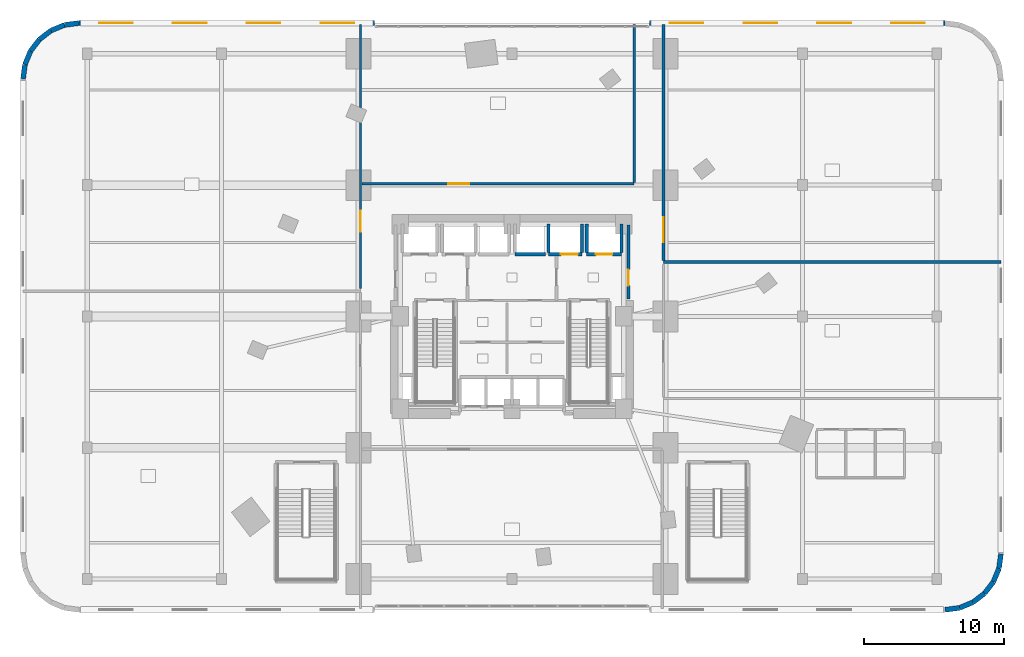
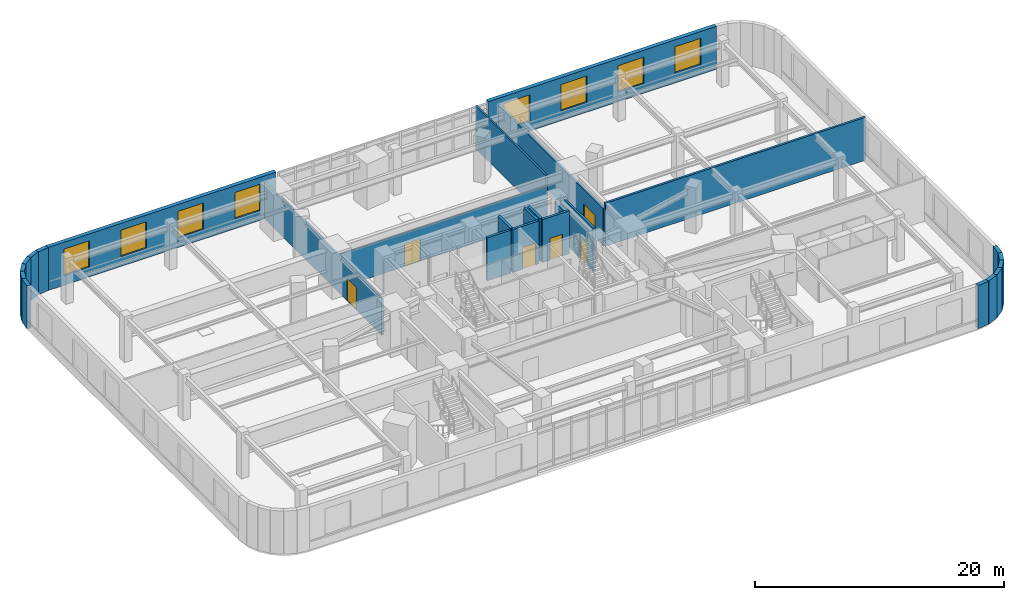
# One storey, part 15 of 19: 27 walls, 8 windows, 6 doors, 14 openings.
"""IFC4 building model written with IfcOpenShell, lengths in metres."""

import ifcopenshell
import ifcopenshell.guid

model = None  # the IFC model being written
_history = None  # IfcOwnerHistory: only IFC2X3 demands one
_inside = {}  # id of a spatial element -> (the spatial element, [elements in it])
_under = {}  # id of a project, library or spatial element -> (it, [spatial elements below it])
_declared = {}  # id of a project -> (the project, [libraries it declares])
_typed = {}  # id of a type object -> (the type object, [elements of that type])
_made_of = {}  # id of a material, layer set ... -> (it, [elements and type objects made of it])


def new_model(schema):
    """Start an empty IFC model of exactly this schema.

    Asked for "IFC4X3", IfcOpenShell would pick the latest addendum, in which some entities
    have other attributes; the version numbers below select the first issue.
    IFC2X3 requires an IfcOwnerHistory on every rooted entity: one is made here for all.
    """
    global model, _history
    if schema == "IFC4X3":
        model = ifcopenshell.file(schema_version=(4, 3, 0, 0))
    else:
        model = ifcopenshell.file(schema=schema)
    _inside.clear()
    _under.clear()
    _declared.clear()
    _typed.clear()
    _made_of.clear()
    _history = None
    if model.schema == "IFC2X3":
        org = make("IfcOrganization", Name="unknown")
        user = make(
            "IfcPersonAndOrganization",
            ThePerson=make("IfcPerson", FamilyName="unknown"),
            TheOrganization=org,
        )
        app = make(
            "IfcApplication",
            ApplicationDeveloper=org,
            Version="unknown",
            ApplicationFullName="unknown",
            ApplicationIdentifier="unknown",
        )
        _history = make(
            "IfcOwnerHistory",
            OwningUser=user,
            OwningApplication=app,
            ChangeAction="ADDED",
            CreationDate=0,
        )
    return model


def make(cls, **values):
    """One entity of the class cls with the attributes given. An attribute that is None is left unset."""
    return model.create_entity(
        cls, **{name: value for name, value in values.items() if value is not None}
    )


def rooted(cls, **values):
    """An entity with a GlobalId (a new one), such as an element, a storey or a relation."""
    return make(cls, GlobalId=ifcopenshell.guid.new(), OwnerHistory=_history, **values)


def si_unit(unit_type, name, prefix=None):
    """IfcSIUnit, for example si_unit("LENGTHUNIT", "METRE", prefix="MILLI")."""
    return make("IfcSIUnit", UnitType=unit_type, Prefix=prefix, Name=name)


def assignment(units):
    """IfcUnitAssignment: the units of a project."""
    return None if units is None else make("IfcUnitAssignment", Units=units)


def point(xyz):
    """IfcCartesianPoint."""
    return None if xyz is None else make("IfcCartesianPoint", Coordinates=xyz)


def direction(xyz):
    """IfcDirection."""
    return None if xyz is None else make("IfcDirection", DirectionRatios=xyz)


def frame(location, z_axis=None, x_axis=None):
    """IfcAxis2Placement3D, a coordinate frame: its origin and axes. An axis left out is left unset."""
    return make(
        "IfcAxis2Placement3D",
        Location=point(location),
        Axis=direction(z_axis),
        RefDirection=direction(x_axis),
    )


def frame_2d(location, x_axis=None):
    """IfcAxis2Placement2D, a coordinate frame in the plane: its origin and x axis."""
    return make(
        "IfcAxis2Placement2D", Location=point(location), RefDirection=direction(x_axis)
    )


def origin():
    """The frame at (0, 0, 0) with its axes left unset."""
    return frame((0.0, 0.0, 0.0))


def place(relative_to, where):
    """IfcLocalPlacement: puts the frame where relative to a parent placement (None: the world)."""
    return make(
        "IfcLocalPlacement", PlacementRelTo=relative_to, RelativePlacement=where
    )


def context(
    kind, dimensions, precision=None, world=None, true_north=None, identifier=None
):
    """IfcGeometricRepresentationContext, for example the 3D "Model" context."""
    return make(
        "IfcGeometricRepresentationContext",
        ContextIdentifier=identifier,
        ContextType=kind,
        CoordinateSpaceDimension=dimensions,
        Precision=precision,
        WorldCoordinateSystem=world,
        TrueNorth=true_north,
    )


def subcontext(parent, identifier, kind, view, scale=None):
    """IfcGeometricRepresentationSubContext, for example "Body" below "Model"."""
    return make(
        "IfcGeometricRepresentationSubContext",
        ContextIdentifier=identifier,
        ContextType=kind,
        ParentContext=parent,
        TargetScale=scale,
        TargetView=view,
    )


def project(units=None, contexts=None):
    """IfcProject with its units and contexts."""
    return rooted(
        "IfcProject",
        Name="project",
        RepresentationContexts=contexts,
        UnitsInContext=assignment(units),
    )


def spatial(cls, under=None, at=None, **own):
    """A site, building, storey or space (cls), placed at a placement, below another one or the project."""
    s = rooted(cls, ObjectPlacement=at, **own)
    if under is not None:
        _under.setdefault(under.id(), (under, []))[1].append(s)
    return s


def profile(cls, at=None, kind="AREA", **sizes):
    """A parametric profile (cls). Its sizes go by their IFC names, for example OverallWidth=200.0."""
    return make(cls, ProfileType=kind, Position=at, **sizes)


def rectangle(**sizes):
    """IfcRectangleProfileDef."""
    return profile("IfcRectangleProfileDef", **sizes)


def extrude(swept, where, along, depth):
    """IfcExtrudedAreaSolid: the profile swept, set in the frame where, extruded along a direction by depth."""
    return make(
        "IfcExtrudedAreaSolid",
        SweptArea=swept,
        Position=where,
        ExtrudedDirection=direction(along),
        Depth=depth,
    )


def shape(context_of_items, identifier, shape_type, items):
    """IfcShapeRepresentation: the items that make up one representation, for example the "Body"."""
    return make(
        "IfcShapeRepresentation",
        ContextOfItems=context_of_items,
        RepresentationIdentifier=identifier,
        RepresentationType=shape_type,
        Items=items,
    )


def material(Name=None, Category=None):
    """IfcMaterial."""
    return make("IfcMaterial", Name=Name, Category=Category)


def layer(
    of_material, thickness, ventilated=None, Name=None, Category=None, Priority=None
):
    """IfcMaterialLayer: one layer of a wall or slab, of a material (None: an air gap)."""
    return make(
        "IfcMaterialLayer",
        Material=of_material,
        LayerThickness=thickness,
        IsVentilated=ventilated,
        Name=Name,
        Category=Category,
        Priority=Priority,
    )


def layer_set(layers, Name=None):
    """IfcMaterialLayerSet."""
    return make("IfcMaterialLayerSet", MaterialLayers=layers, LayerSetName=Name)


def made_of(thing, what):
    """Note that an element or type object is made of a material, layer set ...; save() writes the relation."""
    if what is not None:
        _made_of.setdefault(what.id(), (what, []))[1].append(thing)
    return thing


def type_object(cls, material=None, **own):
    """A type object (cls), such as IfcWallType, which elements share."""
    return made_of(rooted(cls, **own), material)


def element(
    cls,
    number,
    at=None,
    inside=None,
    cuts=None,
    type_object=None,
    material=None,
    context=None,
    identifier="Body",
    shape_type=None,
    held_by="IfcProductDefinitionShape",
    body=None,
    shapes=None,
    **own,
):
    """One element of the class cls, such as IfcWall. Its Tag is "e" and its number.

    at: its placement. inside: the storey or other place that contains it. cuts: it is an
    opening in that element (IfcRelVoidsElement). A single representation is given by context,
    identifier, shape_type and body (its items); several are given by shapes. held_by: the class
    of the entity that holds the representations. save() writes the other relations.
    """
    e = rooted(cls, Tag="e%d" % number, ObjectPlacement=at, **own)
    if body is not None:
        shapes = [shape(context, identifier, shape_type, body)]
    if shapes is not None:
        e.Representation = make(held_by, Representations=shapes)
    if inside is not None:
        _inside.setdefault(inside.id(), (inside, []))[1].append(e)
    if cuts is not None:
        rooted(
            "IfcRelVoidsElement", RelatingBuildingElement=cuts, RelatedOpeningElement=e
        )
    if type_object is not None:
        _typed.setdefault(type_object.id(), (type_object, []))[1].append(e)
    return made_of(e, material)


def fill(opening, filler):
    """IfcRelFillsElement: the door or window that sits in an opening."""
    return rooted(
        "IfcRelFillsElement",
        RelatingOpeningElement=opening,
        RelatedBuildingElement=filler,
    )


def aggregate(whole, parts):
    """IfcRelAggregates: a whole, such as a stair, and the parts it consists of."""
    return rooted("IfcRelAggregates", RelatingObject=whole, RelatedObjects=parts)


def save(model, path):
    """Write the relations noted so far, then the file.

    IfcRelAggregates (storeys below a building ...), IfcRelContainedInSpatialStructure (elements
    in a storey), IfcRelDefinesByType, IfcRelAssociatesMaterial and IfcRelDeclares: one each for
    every whole, place, type object, material and project.
    """
    for whole, parts in _under.values():
        aggregate(whole, parts)
    for where, things in _inside.values():
        rooted(
            "IfcRelContainedInSpatialStructure",
            RelatedElements=things,
            RelatingStructure=where,
        )
    for kind, things in _typed.values():
        rooted("IfcRelDefinesByType", RelatedObjects=things, RelatingType=kind)
    for what, things in _made_of.values():
        rooted("IfcRelAssociatesMaterial", RelatedObjects=things, RelatingMaterial=what)
    for by, libraries in _declared.values():
        rooted("IfcRelDeclares", RelatingContext=by, RelatedDefinitions=libraries)
    model.write(path)


model = new_model("IFC4")

# Units and contexts
model_context = context("Model", 3, precision=1e-05, world=origin(), true_north=direction((0.0, 1.0)))
body_context = subcontext(model_context, "Body", "Model", "MODEL_VIEW")
ifc_project = project(units=[si_unit("LENGTHUNIT", "METRE"), si_unit("AREAUNIT", "SQUARE_METRE"), si_unit("VOLUMEUNIT", "CUBIC_METRE"), si_unit("PLANEANGLEUNIT", "RADIAN"), si_unit("MASSUNIT", "GRAM", prefix="KILO")], contexts=[model_context])

# Site, building, storey
site_placement = place(None, origin())
site = spatial("IfcSite", under=ifc_project, at=site_placement, CompositionType="ELEMENT")
building_placement = place(site_placement, origin())
building = spatial("IfcBuilding", under=site, at=building_placement, Name="Ndelora Gate Hotel", CompositionType="ELEMENT")
storey_placement = place(building_placement, frame((0.0, 0.0, 21.5)))
storey = spatial("IfcBuildingStorey", under=building, at=storey_placement, Name="L04", CompositionType="ELEMENT", Elevation=21.5)

# Walls
ifc_material_1 = material(Name="Clay Brick Masonry", Category="masonry")
ifc_layer_1 = layer(ifc_material_1, 0.360107421875)
ifc_layer_set_1 = layer_set([ifc_layer_1], Name="Clay Brick Masonry")
wall_type_1 = type_object("IfcWallType", Name="WL-BRICK-360", PredefinedType="SOLIDWALL", material=ifc_layer_set_1)
wall_1_placement = place(storey_placement, frame((32.035400390625, -20.86376953125, 0.0), z_axis=(0.0, 0.0, 1.0), x_axis=(-0.991455091231, -0.130448465198, 0.0)))
element("IfcWall", 1, at=wall_1_placement, inside=storey, type_object=wall_type_1, Name="L04 Exterior Brick Pier-and-Spandrel Wall 1", PredefinedType="SOLIDWALL", context=body_context, shape_type="SweptSolid", body=[
    extrude(rectangle(XDim=1.04443359375, YDim=0.360107421875, at=frame_2d((0.522216796875, 0.0))), origin(), (0.0, 0.0, 1.0), 4.219970703125),
])
for number, where, z_axis, x_axis, name in (
    (2, (33.0, -20.464111328125, 0.0), (0.0, 0.0, 1.0), (-0.923842970528, -0.382771688877, 0.0), "L04 Exterior Brick Pier-and-Spandrel Wall 2"),
    (3, (33.828369140625, -19.828369140625, 0.0), (0.0, 0.0, 1.0), (-0.793301447628, -0.608829050876, 0.0), "L04 Exterior Brick Pier-and-Spandrel Wall 3"),
    (4, (34.464111328125, -19.0, 0.0), (0.0, 0.0, 1.0), (-0.608829050876, -0.793301447628, 0.0), "L04 Exterior Brick Pier-and-Spandrel Wall 4"),
    (5, (34.86376953125, -18.035400390625, 0.0), (0.0, 0.0, 1.0), (-0.382771688877, -0.923842970528, 0.0), "L04 Exterior Brick Pier-and-Spandrel Wall 5"),
):
    element("IfcWall", number, at=place(storey_placement, frame(where, z_axis=z_axis, x_axis=x_axis)), inside=storey, type_object=wall_type_1, Name=name, PredefinedType="SOLIDWALL", context=body_context, shape_type="SweptSolid", body=[
        extrude(rectangle(XDim=1.044189453125, YDim=0.360107421875, at=frame_2d((0.52197265625, 0.0))), origin(), (0.0, 0.0, 1.0), 4.219970703125),
    ])
wall_2_placement = place(storey_placement, frame((35.0, -17.0, 0.0), z_axis=(0.0, 0.0, 1.0), x_axis=(-0.130448465198, -0.991455091231, 0.0)))
element("IfcWall", 6, at=wall_2_placement, inside=storey, type_object=wall_type_1, Name="L04 Exterior Brick Pier-and-Spandrel Wall 6", PredefinedType="SOLIDWALL", context=body_context, shape_type="SweptSolid", body=[
    extrude(rectangle(XDim=1.04443359375, YDim=0.360107421875, at=frame_2d((0.522216796875, 0.0))), origin(), (0.0, 0.0, 1.0), 4.219970703125),
])

# Wall, openings, windows
wall_3_placement = place(storey_placement, frame((-31.0, 21.0, 0.0), z_axis=(0.0, 0.0, 1.0), x_axis=(1.0, 0.0, 0.0)))
wall_3 = element("IfcWall", 7, at=wall_3_placement, inside=storey, type_object=wall_type_1, Name="L04 Exterior Brick Pier-and-Spandrel Wall 14", PredefinedType="SOLIDWALL", context=body_context, shape_type="SweptSolid", body=[
    extrude(rectangle(XDim=21.14990234375, YDim=0.360107421875, at=frame_2d((10.574951171875, 0.0))), origin(), (0.0, 0.0, 1.0), 4.219970703125),
])
opening_1_placement = place(wall_3_placement, frame((1.443603515625, 0.0, 0.949951171875)))
opening_1 = element("IfcOpeningElement", 8, at=opening_1_placement, cuts=wall_3, Name="Opening W04", PredefinedType="OPENING", context=body_context, shape_type="SweptSolid", body=[
    extrude(rectangle(XDim=2.39990234375, YDim=2.60009765625, at=frame_2d((1.199951171875, 1.300048828125))), frame((0.0, 0.18994140625, 0.0), z_axis=(0.0, -1.0, 0.0), x_axis=(1.0, 0.0, 0.0)), (0.0, 0.0, 1.0), 0.380126953125),
])
opening_2_placement = place(wall_3_placement, frame((6.731201171875, 0.0, 0.949951171875)))
opening_2 = element("IfcOpeningElement", 9, at=opening_2_placement, cuts=wall_3, Name="Opening W04", PredefinedType="OPENING", context=body_context, shape_type="SweptSolid", body=[
    extrude(rectangle(XDim=2.39990234375, YDim=2.60009765625, at=frame_2d((1.199951171875, 1.300048828125))), frame((0.0, 0.18994140625, 0.0), z_axis=(0.0, -1.0, 0.0), x_axis=(1.0, 0.0, 0.0)), (0.0, 0.0, 1.0), 0.380126953125),
])
opening_3_placement = place(wall_3_placement, frame((12.018798828125, 0.0, 0.949951171875)))
opening_3 = element("IfcOpeningElement", 10, at=opening_3_placement, cuts=wall_3, Name="Opening W04", PredefinedType="OPENING", context=body_context, shape_type="SweptSolid", body=[
    extrude(rectangle(XDim=2.39990234375, YDim=2.60009765625, at=frame_2d((1.199951171875, 1.300048828125))), frame((0.0, 0.18994140625, 0.0), z_axis=(0.0, -1.0, 0.0), x_axis=(1.0, 0.0, 0.0)), (0.0, 0.0, 1.0), 0.380126953125),
])
opening_4_placement = place(wall_3_placement, frame((17.30615234375, 0.0, 0.949951171875)))
opening_4 = element("IfcOpeningElement", 11, at=opening_4_placement, cuts=wall_3, Name="Opening W04", PredefinedType="OPENING", context=body_context, shape_type="SweptSolid", body=[
    extrude(rectangle(XDim=2.39990234375, YDim=2.60009765625, at=frame_2d((1.199951171875, 1.300048828125))), frame((0.0, 0.18994140625, 0.0), z_axis=(0.0, -1.0, 0.0), x_axis=(1.0, 0.0, 0.0)), (0.0, 0.0, 1.0), 0.380126953125),
])
ifc_material_2 = material(Name="Insulated Low-E Double Glazing in Bronze Aluminium Frame", Category="aluminium")
window_type = type_object("IfcWindowType", Name="WN-POD-2400", PartitioningType="SINGLE_PANEL", PredefinedType="WINDOW", material=ifc_material_2)
window_1_placement = place(opening_1_placement, origin())
window_1 = element("IfcWindow", 12, at=window_1_placement, inside=storey, type_object=window_type, Name="L04 Deep-Set Podium Brick-Frame Window W04", OverallHeight=2.60009765625, OverallWidth=2.39990234375, PartitioningType="SINGLE_PANEL", PredefinedType="WINDOW", context=body_context, shape_type="SweptSolid", body=[
    extrude(rectangle(XDim=2.39990234375, YDim=2.60009765625, at=frame_2d((1.199951171875, 1.300048828125))), frame((0.0, 0.030029296875, 0.0), z_axis=(0.0, -1.0, 0.0), x_axis=(1.0, 0.0, 0.0)), (0.0, 0.0, 1.0), 0.06005859375),
])
fill(opening_1, window_1)
window_2_placement = place(opening_2_placement, origin())
window_2 = element("IfcWindow", 13, at=window_2_placement, inside=storey, type_object=window_type, Name="L04 Deep-Set Podium Brick-Frame Window W04", OverallHeight=2.60009765625, OverallWidth=2.39990234375, PartitioningType="SINGLE_PANEL", PredefinedType="WINDOW", context=body_context, shape_type="SweptSolid", body=[
    extrude(rectangle(XDim=2.39990234375, YDim=2.60009765625, at=frame_2d((1.199951171875, 1.300048828125))), frame((0.0, 0.030029296875, 0.0), z_axis=(0.0, -1.0, 0.0), x_axis=(1.0, 0.0, 0.0)), (0.0, 0.0, 1.0), 0.06005859375),
])
fill(opening_2, window_2)
window_3_placement = place(opening_3_placement, origin())
window_3 = element("IfcWindow", 14, at=window_3_placement, inside=storey, type_object=window_type, Name="L04 Deep-Set Podium Brick-Frame Window W04", OverallHeight=2.60009765625, OverallWidth=2.39990234375, PartitioningType="SINGLE_PANEL", PredefinedType="WINDOW", context=body_context, shape_type="SweptSolid", body=[
    extrude(rectangle(XDim=2.39990234375, YDim=2.60009765625, at=frame_2d((1.199951171875, 1.300048828125))), frame((0.0, 0.030029296875, 0.0), z_axis=(0.0, -1.0, 0.0), x_axis=(1.0, 0.0, 0.0)), (0.0, 0.0, 1.0), 0.06005859375),
])
fill(opening_3, window_3)
window_4_placement = place(opening_4_placement, origin())
window_4 = element("IfcWindow", 15, at=window_4_placement, inside=storey, type_object=window_type, Name="L04 Deep-Set Podium Brick-Frame Window W04", OverallHeight=2.60009765625, OverallWidth=2.39990234375, PartitioningType="SINGLE_PANEL", PredefinedType="WINDOW", context=body_context, shape_type="SweptSolid", body=[
    extrude(rectangle(XDim=2.39990234375, YDim=2.60009765625, at=frame_2d((1.199951171875, 1.300048828125))), frame((0.0, 0.030029296875, 0.0), z_axis=(0.0, -1.0, 0.0), x_axis=(1.0, 0.0, 0.0)), (0.0, 0.0, 1.0), 0.06005859375),
])
fill(opening_4, window_4)

wall_4_placement = place(storey_placement, frame((9.85009765625, 21.0, 0.0), z_axis=(0.0, 0.0, 1.0), x_axis=(1.0, 0.0, 0.0)))
wall_4 = element("IfcWall", 16, at=wall_4_placement, inside=storey, type_object=wall_type_1, Name="L04 Exterior Brick Pier-and-Spandrel Wall 15", PredefinedType="SOLIDWALL", context=body_context, shape_type="SweptSolid", body=[
    extrude(rectangle(XDim=21.14990234375, YDim=0.360107421875, at=frame_2d((10.574951171875, 0.0))), origin(), (0.0, 0.0, 1.0), 4.219970703125),
])
opening_5_placement = place(wall_4_placement, frame((1.443603515625, 0.0, 0.949951171875)))
opening_5 = element("IfcOpeningElement", 17, at=opening_5_placement, cuts=wall_4, Name="Opening W04", PredefinedType="OPENING", context=body_context, shape_type="SweptSolid", body=[
    extrude(rectangle(XDim=2.39990234375, YDim=2.60009765625, at=frame_2d((1.199951171875, 1.300048828125))), frame((0.0, 0.18994140625, 0.0), z_axis=(0.0, -1.0, 0.0), x_axis=(1.0, 0.0, 0.0)), (0.0, 0.0, 1.0), 0.380126953125),
])
opening_6_placement = place(wall_4_placement, frame((6.731201171875, 0.0, 0.949951171875)))
opening_6 = element("IfcOpeningElement", 18, at=opening_6_placement, cuts=wall_4, Name="Opening W04", PredefinedType="OPENING", context=body_context, shape_type="SweptSolid", body=[
    extrude(rectangle(XDim=2.39990234375, YDim=2.60009765625, at=frame_2d((1.199951171875, 1.300048828125))), frame((0.0, 0.18994140625, 0.0), z_axis=(0.0, -1.0, 0.0), x_axis=(1.0, 0.0, 0.0)), (0.0, 0.0, 1.0), 0.380126953125),
])
opening_7_placement = place(wall_4_placement, frame((12.018798828125, 0.0, 0.949951171875)))
opening_7 = element("IfcOpeningElement", 19, at=opening_7_placement, cuts=wall_4, Name="Opening W04", PredefinedType="OPENING", context=body_context, shape_type="SweptSolid", body=[
    extrude(rectangle(XDim=2.39990234375, YDim=2.60009765625, at=frame_2d((1.199951171875, 1.300048828125))), frame((0.0, 0.18994140625, 0.0), z_axis=(0.0, -1.0, 0.0), x_axis=(1.0, 0.0, 0.0)), (0.0, 0.0, 1.0), 0.380126953125),
])
opening_8_placement = place(wall_4_placement, frame((17.30615234375, 0.0, 0.949951171875)))
opening_8 = element("IfcOpeningElement", 20, at=opening_8_placement, cuts=wall_4, Name="Opening W04", PredefinedType="OPENING", context=body_context, shape_type="SweptSolid", body=[
    extrude(rectangle(XDim=2.39990234375, YDim=2.60009765625, at=frame_2d((1.199951171875, 1.300048828125))), frame((0.0, 0.18994140625, 0.0), z_axis=(0.0, -1.0, 0.0), x_axis=(1.0, 0.0, 0.0)), (0.0, 0.0, 1.0), 0.380126953125),
])
window_5_placement = place(opening_5_placement, origin())
window_5 = element("IfcWindow", 21, at=window_5_placement, inside=storey, type_object=window_type, Name="L04 Deep-Set Podium Brick-Frame Window W04", OverallHeight=2.60009765625, OverallWidth=2.39990234375, PartitioningType="SINGLE_PANEL", PredefinedType="WINDOW", context=body_context, shape_type="SweptSolid", body=[
    extrude(rectangle(XDim=2.39990234375, YDim=2.60009765625, at=frame_2d((1.199951171875, 1.300048828125))), frame((0.0, 0.030029296875, 0.0), z_axis=(0.0, -1.0, 0.0), x_axis=(1.0, 0.0, 0.0)), (0.0, 0.0, 1.0), 0.06005859375),
])
fill(opening_5, window_5)
window_6_placement = place(opening_6_placement, origin())
window_6 = element("IfcWindow", 22, at=window_6_placement, inside=storey, type_object=window_type, Name="L04 Deep-Set Podium Brick-Frame Window W04", OverallHeight=2.60009765625, OverallWidth=2.39990234375, PartitioningType="SINGLE_PANEL", PredefinedType="WINDOW", context=body_context, shape_type="SweptSolid", body=[
    extrude(rectangle(XDim=2.39990234375, YDim=2.60009765625, at=frame_2d((1.199951171875, 1.300048828125))), frame((0.0, 0.030029296875, 0.0), z_axis=(0.0, -1.0, 0.0), x_axis=(1.0, 0.0, 0.0)), (0.0, 0.0, 1.0), 0.06005859375),
])
fill(opening_6, window_6)
window_7_placement = place(opening_7_placement, origin())
window_7 = element("IfcWindow", 23, at=window_7_placement, inside=storey, type_object=window_type, Name="L04 Deep-Set Podium Brick-Frame Window W04", OverallHeight=2.60009765625, OverallWidth=2.39990234375, PartitioningType="SINGLE_PANEL", PredefinedType="WINDOW", context=body_context, shape_type="SweptSolid", body=[
    extrude(rectangle(XDim=2.39990234375, YDim=2.60009765625, at=frame_2d((1.199951171875, 1.300048828125))), frame((0.0, 0.030029296875, 0.0), z_axis=(0.0, -1.0, 0.0), x_axis=(1.0, 0.0, 0.0)), (0.0, 0.0, 1.0), 0.06005859375),
])
fill(opening_7, window_7)
window_8_placement = place(opening_8_placement, origin())
window_8 = element("IfcWindow", 24, at=window_8_placement, inside=storey, type_object=window_type, Name="L04 Deep-Set Podium Brick-Frame Window W04", OverallHeight=2.60009765625, OverallWidth=2.39990234375, PartitioningType="SINGLE_PANEL", PredefinedType="WINDOW", context=body_context, shape_type="SweptSolid", body=[
    extrude(rectangle(XDim=2.39990234375, YDim=2.60009765625, at=frame_2d((1.199951171875, 1.300048828125))), frame((0.0, 0.030029296875, 0.0), z_axis=(0.0, -1.0, 0.0), x_axis=(1.0, 0.0, 0.0)), (0.0, 0.0, 1.0), 0.06005859375),
])
fill(opening_8, window_8)

# Walls
wall_5_placement = place(storey_placement, frame((-32.035400390625, 20.86376953125, 0.0), z_axis=(0.0, 0.0, 1.0), x_axis=(0.991455091231, 0.130448465198, 0.0)))
element("IfcWall", 25, at=wall_5_placement, inside=storey, type_object=wall_type_1, Name="L04 Exterior Brick Pier-and-Spandrel Wall 16", PredefinedType="SOLIDWALL", context=body_context, shape_type="SweptSolid", body=[
    extrude(rectangle(XDim=1.04443359375, YDim=0.360107421875, at=frame_2d((0.522216796875, 0.0))), origin(), (0.0, 0.0, 1.0), 4.219970703125),
])
for number, where, z_axis, x_axis, name in (
    (26, (-33.0, 20.464111328125, 0.0), (0.0, 0.0, 1.0), (0.923842970528, 0.382771688877, 0.0), "L04 Exterior Brick Pier-and-Spandrel Wall 17"),
    (27, (-33.828369140625, 19.828369140625, 0.0), (0.0, 0.0, 1.0), (0.793301447628, 0.608829050876, 0.0), "L04 Exterior Brick Pier-and-Spandrel Wall 18"),
    (28, (-34.464111328125, 19.0, 0.0), (0.0, 0.0, 1.0), (0.608829050876, 0.793301447628, 0.0), "L04 Exterior Brick Pier-and-Spandrel Wall 19"),
    (29, (-34.86376953125, 18.035400390625, 0.0), (0.0, 0.0, 1.0), (0.382771688877, 0.923842970528, 0.0), "L04 Exterior Brick Pier-and-Spandrel Wall 20"),
):
    element("IfcWall", number, at=place(storey_placement, frame(where, z_axis=z_axis, x_axis=x_axis)), inside=storey, type_object=wall_type_1, Name=name, PredefinedType="SOLIDWALL", context=body_context, shape_type="SweptSolid", body=[
        extrude(rectangle(XDim=1.044189453125, YDim=0.360107421875, at=frame_2d((0.52197265625, 0.0))), origin(), (0.0, 0.0, 1.0), 4.219970703125),
    ])
wall_6_placement = place(storey_placement, frame((-35.0, 17.0, 0.0), z_axis=(0.0, 0.0, 1.0), x_axis=(0.130448465198, 0.991455091231, 0.0)))
element("IfcWall", 30, at=wall_6_placement, inside=storey, type_object=wall_type_1, Name="L04 Exterior Brick Pier-and-Spandrel Wall 21", PredefinedType="SOLIDWALL", context=body_context, shape_type="SweptSolid", body=[
    extrude(rectangle(XDim=1.04443359375, YDim=0.360107421875, at=frame_2d((0.522216796875, 0.0))), origin(), (0.0, 0.0, 1.0), 4.219970703125),
])

# Wall, opening, door
ifc_material_3 = material(Name="Concrete C40/50", Category="concrete")
ifc_layer_2 = layer(ifc_material_3, 0.199951171875)
ifc_layer_set_2 = layer_set([ifc_layer_2], Name="Concrete C40/50")
wall_type_2 = type_object("IfcWallType", Name="WL-FIRE-200", PredefinedType="PARTITIONING", material=ifc_layer_set_2)
wall_7_placement = place(storey_placement, frame((8.35009765625, 1.25, 0.0), z_axis=(0.0, 0.0, 1.0), x_axis=(0.0, 1.0, 0.0)))
wall_7 = element("IfcWall", 31, at=wall_7_placement, inside=storey, type_object=wall_type_2, Name="L04 Interior Wall IW-2", PredefinedType="PARTITIONING", context=body_context, shape_type="SweptSolid", body=[
    extrude(rectangle(XDim=5.300048828125, YDim=0.199951171875, at=frame_2d((2.64990234375, 0.0))), origin(), (0.0, 0.0, 1.0), 4.219970703125),
])
opening_9_placement = place(wall_7_placement, frame((0.949951171875, 0.0, 0.0)))
opening_9 = element("IfcOpeningElement", 32, at=opening_9_placement, cuts=wall_7, Name="Opening FD1", PredefinedType="OPENING", context=body_context, shape_type="SweptSolid", body=[
    extrude(rectangle(XDim=1.14990234375, YDim=2.14990234375, at=frame_2d((0.574951171875, 1.074951171875))), frame((0.0, 0.10986328125, 0.0), z_axis=(0.0, -1.0, 0.0), x_axis=(1.0, 0.0, 0.0)), (0.0, 0.0, 1.0), 0.219970703125),
])
ifc_material_4 = material(Name="Fire-Rated Timber-Veneer Steel Core", Category="steel")
door_type_1 = type_object("IfcDoorType", Name="DR-FD60", OperationType="SINGLE_SWING_LEFT", PredefinedType="DOOR", material=ifc_material_4)
door_1_placement = place(opening_9_placement, origin())
door_1 = element("IfcDoor", 33, at=door_1_placement, inside=storey, type_object=door_type_1, Name="L04 Firefighting Lobby East Corridor Door", OperationType="SINGLE_SWING_RIGHT", OverallHeight=2.14990234375, OverallWidth=1.14990234375, PredefinedType="DOOR", context=body_context, shape_type="SweptSolid", body=[
    extrude(rectangle(XDim=1.14990234375, YDim=2.14990234375, at=frame_2d((0.574951171875, 1.074951171875))), frame((0.0, 0.02490234375, 0.0), z_axis=(0.0, -1.0, 0.0), x_axis=(1.0, 0.0, 0.0)), (0.0, 0.0, 1.0), 0.050048828125),
])
fill(opening_9, door_1)

# Wall
wall_8_placement = place(storey_placement, frame((10.85009765625, 3.89990234375, 0.0), z_axis=(0.0, 0.0, 1.0), x_axis=(1.0, 0.0, 0.0)))
element("IfcWall", 34, at=wall_8_placement, inside=storey, type_object=wall_type_2, Name="L04 Interior Wall IW-2", PredefinedType="PARTITIONING", context=body_context, shape_type="SweptSolid", body=[
    extrude(rectangle(XDim=24.14990234375, YDim=0.199951171875, at=frame_2d((12.074951171875, 0.0))), origin(), (0.0, 0.0, 1.0), 4.219970703125),
])

# Wall, opening, door
wall_9_placement = place(storey_placement, frame((10.85009765625, 20.89990234375, 0.0), z_axis=(0.0, 0.0, 1.0), x_axis=(0.0, -1.0, 0.0)))
wall_9 = element("IfcWall", 35, at=wall_9_placement, inside=storey, type_object=wall_type_2, Name="L04 Interior Wall IW-2", PredefinedType="PARTITIONING", context=body_context, shape_type="SweptSolid", body=[
    extrude(rectangle(XDim=16.89990234375, YDim=0.199951171875, at=frame_2d((8.449951171875, 0.0))), origin(), (0.0, 0.0, 1.0), 3.60009765625),
])
opening_10_placement = place(wall_9_placement, frame((13.800048828125, 0.0, 0.0)))
opening_10 = element("IfcOpeningElement", 36, at=opening_10_placement, cuts=wall_9, Name="Opening FD2", PredefinedType="OPENING", context=body_context, shape_type="SweptSolid", body=[
    extrude(rectangle(XDim=1.800048828125, YDim=2.199951171875, at=frame_2d((0.89990234375, 1.10009765625))), frame((0.0, 0.10986328125, 0.0), z_axis=(0.0, -1.0, 0.0), x_axis=(1.0, 0.0, 0.0)), (0.0, 0.0, 1.0), 0.219970703125),
])
ifc_material_5 = material(Name="Fire-Rated Double Exit Door", Category="wood")
door_type_2 = type_object("IfcDoorType", Name="DR-DBL-1800", OperationType="DOUBLE_DOOR_SINGLE_SWING", PredefinedType="DOOR", material=ifc_material_5)
door_2_placement = place(opening_10_placement, origin())
door_2 = element("IfcDoor", 37, at=door_2_placement, inside=storey, type_object=door_type_2, Name="L04 Banquet Production Kitchen Door", OperationType="DOUBLE_DOOR_SINGLE_SWING", OverallHeight=2.199951171875, OverallWidth=1.800048828125, PredefinedType="DOOR", context=body_context, shape_type="SweptSolid", body=[
    extrude(rectangle(XDim=1.800048828125, YDim=2.199951171875, at=frame_2d((0.89990234375, 1.10009765625))), frame((0.0, 0.02490234375, 0.0), z_axis=(0.0, -1.0, 0.0), x_axis=(1.0, 0.0, 0.0)), (0.0, 0.0, 1.0), 0.050048828125),
])
fill(opening_10, door_2)

ifc_material_6 = material(Name="Fire-Rated Gypsum Stud Partition", Category="gypsum")
ifc_layer_3 = layer(ifc_material_6, 0.159912109375)
ifc_layer_set_3 = layer_set([ifc_layer_3], Name="Fire-Rated Gypsum Stud Partition")
wall_type_3 = type_object("IfcWallType", Name="WL-PART-160", PredefinedType="PARTITIONING", material=ifc_layer_set_3)
wall_10_placement = place(storey_placement, frame((-10.85009765625, 2.0, 0.0), z_axis=(0.0, 0.0, 1.0), x_axis=(0.0, 1.0, 0.0)))
wall_10 = element("IfcWall", 38, at=wall_10_placement, inside=storey, type_object=wall_type_3, Name="L04 Interior Wall IW-4", PredefinedType="PARTITIONING", context=body_context, shape_type="SweptSolid", body=[
    extrude(rectangle(XDim=18.89990234375, YDim=0.159912109375, at=frame_2d((9.449951171875, 0.0))), origin(), (0.0, 0.0, 1.0), 3.60009765625),
])
opening_11_placement = place(wall_10_placement, frame((4.06005859375, 0.0, 0.0)))
opening_11 = element("IfcOpeningElement", 39, at=opening_11_placement, cuts=wall_10, Name="Opening D06", PredefinedType="OPENING", context=body_context, shape_type="SweptSolid", body=[
    extrude(rectangle(XDim=1.5, YDim=2.199951171875, at=frame_2d((0.75, 1.10009765625))), frame((0.0, 0.08984375, 0.0), z_axis=(0.0, -1.0, 0.0), x_axis=(1.0, 0.0, 0.0)), (0.0, 0.0, 1.0), 0.179931640625),
])
ifc_material_7 = material(Name="Podium Salon Double Leaf Door", Category="wood")
door_type_3 = type_object("IfcDoorType", Name="DR-POD-1500", OperationType="DOUBLE_DOOR_SINGLE_SWING", PredefinedType="DOOR", material=ifc_material_7)
door_3_placement = place(opening_11_placement, origin())
door_3 = element("IfcDoor", 40, at=door_3_placement, inside=storey, type_object=door_type_3, Name="L04 Summit Syndicate Conference Room Door", OperationType="DOUBLE_DOOR_SINGLE_SWING", OverallHeight=2.199951171875, OverallWidth=1.5, PredefinedType="DOOR", context=body_context, shape_type="SweptSolid", body=[
    extrude(rectangle(XDim=1.5, YDim=2.199951171875, at=frame_2d((0.75, 1.10009765625))), frame((0.0, 0.02490234375, 0.0), z_axis=(0.0, -1.0, 0.0), x_axis=(1.0, 0.0, 0.0)), (0.0, 0.0, 1.0), 0.050048828125),
])
fill(opening_11, door_3)

wall_11_placement = place(storey_placement, frame((-10.75, 9.5, 0.0), z_axis=(0.0, 0.0, 1.0), x_axis=(1.0, 0.0, 0.0)))
wall_11 = element("IfcWall", 41, at=wall_11_placement, inside=storey, type_object=wall_type_3, Name="L04 Interior Wall IW-4", PredefinedType="PARTITIONING", context=body_context, shape_type="SweptSolid", body=[
    extrude(rectangle(XDim=19.5, YDim=0.159912109375, at=frame_2d((9.75, 0.0))), origin(), (0.0, 0.0, 1.0), 3.300048828125),
])
opening_12_placement = place(wall_11_placement, frame((6.199951171875, 0.0, 0.0)))
opening_12 = element("IfcOpeningElement", 42, at=opening_12_placement, cuts=wall_11, Name="Opening D06", PredefinedType="OPENING", context=body_context, shape_type="SweptSolid", body=[
    extrude(rectangle(XDim=1.5, YDim=2.199951171875, at=frame_2d((0.75, 1.10009765625))), frame((0.0, 0.08984375, 0.0), z_axis=(0.0, -1.0, 0.0), x_axis=(1.0, 0.0, 0.0)), (0.0, 0.0, 1.0), 0.179931640625),
])
door_4_placement = place(opening_12_placement, origin())
door_4 = element("IfcDoor", 43, at=door_4_placement, inside=storey, type_object=door_type_3, Name="L04 Delegate Reception Salon Door", OperationType="DOUBLE_DOOR_SINGLE_SWING", OverallHeight=2.199951171875, OverallWidth=1.5, PredefinedType="DOOR", context=body_context, shape_type="SweptSolid", body=[
    extrude(rectangle(XDim=1.5, YDim=2.199951171875, at=frame_2d((0.75, 1.10009765625))), frame((0.0, 0.02490234375, 0.0), z_axis=(0.0, -1.0, 0.0), x_axis=(1.0, 0.0, 0.0)), (0.0, 0.0, 1.0), 0.050048828125),
])
fill(opening_12, door_4)

# Wall
wall_12_placement = place(storey_placement, frame((8.75, 9.60009765625, 0.0), z_axis=(0.0, 0.0, 1.0), x_axis=(0.0, 1.0, 0.0)))
element("IfcWall", 44, at=wall_12_placement, inside=storey, type_object=wall_type_3, Name="L04 Interior Wall IW-4", PredefinedType="PARTITIONING", context=body_context, shape_type="SweptSolid", body=[
    extrude(rectangle(XDim=11.2998046875, YDim=0.159912109375, at=frame_2d((5.64990234375, 0.0))), origin(), (0.0, 0.0, 1.0), 4.219970703125),
])

# Wall, opening, door
ifc_layer_4 = layer(ifc_material_3, 0.219970703125)
ifc_layer_set_4 = layer_set([ifc_layer_4], Name="Concrete C40/50")
wall_type_4 = type_object("IfcWallType", Name="WL-SHAFT-220", PredefinedType="PARTITIONING", material=ifc_layer_set_4)
wall_13_placement = place(storey_placement, frame((5.35009765625, 4.449951171875, 0.0), z_axis=(0.0, 0.0, 1.0), x_axis=(1.0, 0.0, 0.0)))
wall_13 = element("IfcWall", 45, at=wall_13_placement, inside=storey, type_object=wall_type_4, Name="L04 Interior Wall IW-1", PredefinedType="PARTITIONING", context=body_context, shape_type="SweptSolid", body=[
    extrude(rectangle(XDim=2.5, YDim=0.219970703125, at=frame_2d((1.25, 0.0))), origin(), (0.0, 0.0, 1.0), 4.219970703125),
])
opening_13_placement = place(wall_13_placement, frame((0.659912109375, 0.0, 0.0)))
opening_13 = element("IfcOpeningElement", 46, at=opening_13_placement, cuts=wall_13, Name="Opening LD5", PredefinedType="OPENING", context=body_context, shape_type="SweptSolid", body=[
    extrude(rectangle(XDim=1.179931640625, YDim=2.14990234375, at=frame_2d((0.58984375, 1.074951171875))), frame((0.0, 0.1201171875, 0.0), z_axis=(0.0, -1.0, 0.0), x_axis=(1.0, 0.0, 0.0)), (0.0, 0.0, 1.0), 0.239990234375),
])
ifc_material_8 = material(Name="Firefighting Lift Stainless Sliding Landing Door", Category="metal")
door_type_4 = type_object("IfcDoorType", Name="DR-LD5", OperationType="DOUBLE_DOOR_SLIDING", PredefinedType="DOOR", material=ifc_material_8)
door_5_placement = place(opening_13_placement, origin())
door_5 = element("IfcDoor", 47, at=door_5_placement, inside=storey, type_object=door_type_4, Name="L04 Lift Landing Sliding Door FFL2", OperationType="DOUBLE_DOOR_SLIDING", OverallHeight=2.14990234375, OverallWidth=1.179931640625, PredefinedType="DOOR", context=body_context, shape_type="SweptSolid", body=[
    extrude(rectangle(XDim=1.179931640625, YDim=2.14990234375, at=frame_2d((0.58984375, 1.074951171875))), frame((0.0, 0.02490234375, 0.0), z_axis=(0.0, -1.0, 0.0), x_axis=(1.0, 0.0, 0.0)), (0.0, 0.0, 1.0), 0.050048828125),
])
fill(opening_13, door_5)

# Walls
wall_14_placement = place(storey_placement, frame((5.35009765625, 4.570068359375, 0.0), z_axis=(0.0, 0.0, 1.0), x_axis=(0.0, 1.0, 0.0)))
element("IfcWall", 48, at=wall_14_placement, inside=storey, type_object=wall_type_4, Name="L04 Interior Wall IW-1", PredefinedType="PARTITIONING", context=body_context, shape_type="SweptSolid", body=[
    extrude(rectangle(XDim=2.030029296875, YDim=0.219970703125, at=frame_2d((1.01513671875, 0.0))), origin(), (0.0, 0.0, 1.0), 4.219970703125),
])
wall_15_placement = place(storey_placement, frame((7.85009765625, 4.570068359375, 0.0), z_axis=(0.0, 0.0, 1.0), x_axis=(0.0, 1.0, 0.0)))
element("IfcWall", 49, at=wall_15_placement, inside=storey, type_object=wall_type_4, Name="L04 Interior Wall IW-1", PredefinedType="PARTITIONING", context=body_context, shape_type="SweptSolid", body=[
    extrude(rectangle(XDim=2.030029296875, YDim=0.219970703125, at=frame_2d((1.01513671875, 0.0))), origin(), (0.0, 0.0, 1.0), 3.800048828125),
])

# Wall, opening, door
wall_16_placement = place(storey_placement, frame((2.60009765625, 4.449951171875, 0.0), z_axis=(0.0, 0.0, 1.0), x_axis=(1.0, 0.0, 0.0)))
wall_16 = element("IfcWall", 50, at=wall_16_placement, inside=storey, type_object=wall_type_4, Name="L04 Interior Wall IW-1", PredefinedType="PARTITIONING", context=body_context, shape_type="SweptSolid", body=[
    extrude(rectangle(XDim=2.39990234375, YDim=0.219970703125, at=frame_2d((1.199951171875, 0.0))), origin(), (0.0, 0.0, 1.0), 4.219970703125),
])
opening_14_placement = place(wall_16_placement, frame((0.89990234375, 0.0, 0.0)))
opening_14 = element("IfcOpeningElement", 51, at=opening_14_placement, cuts=wall_16, Name="Opening LD6", PredefinedType="OPENING", context=body_context, shape_type="SweptSolid", body=[
    extrude(rectangle(XDim=1.219970703125, YDim=2.14990234375, at=frame_2d((0.60986328125, 1.074951171875))), frame((0.0, 0.1201171875, 0.0), z_axis=(0.0, -1.0, 0.0), x_axis=(1.0, 0.0, 0.0)), (0.0, 0.0, 1.0), 0.239990234375),
])
ifc_material_9 = material(Name="Heavy-Duty Service Lift Sliding Landing Door", Category="wood")
door_type_5 = type_object("IfcDoorType", Name="DR-LD6", OperationType="DOUBLE_DOOR_SLIDING", PredefinedType="DOOR", material=ifc_material_9)
door_6_placement = place(opening_14_placement, origin())
door_6 = element("IfcDoor", 52, at=door_6_placement, inside=storey, type_object=door_type_5, Name="L04 Lift Landing Sliding Door SVL2", OperationType="DOUBLE_DOOR_SLIDING", OverallHeight=2.14990234375, OverallWidth=1.219970703125, PredefinedType="DOOR", context=body_context, shape_type="SweptSolid", body=[
    extrude(rectangle(XDim=1.219970703125, YDim=2.14990234375, at=frame_2d((0.60986328125, 1.074951171875))), frame((0.0, 0.02490234375, 0.0), z_axis=(0.0, -1.0, 0.0), x_axis=(1.0, 0.0, 0.0)), (0.0, 0.0, 1.0), 0.050048828125),
])
fill(opening_14, door_6)

# Walls
for number, where, z_axis, x_axis, name in (
    (53, (2.60009765625, 4.570068359375, 0.0), (0.0, 0.0, 1.0), (0.0, 1.0, 0.0), "L04 Interior Wall IW-1"),
    (54, (5.0, 4.570068359375, 0.0), (0.0, 0.0, 1.0), (0.0, 1.0, 0.0), "L04 Interior Wall IW-1"),
):
    element("IfcWall", number, at=place(storey_placement, frame(where, z_axis=z_axis, x_axis=x_axis)), inside=storey, type_object=wall_type_4, Name=name, PredefinedType="PARTITIONING", context=body_context, shape_type="SweptSolid", body=[
        extrude(rectangle(XDim=2.030029296875, YDim=0.219970703125, at=frame_2d((1.01513671875, 0.0))), origin(), (0.0, 0.0, 1.0), 4.219970703125),
    ])
wall_17_placement = place(storey_placement, frame((0.199951171875, 4.449951171875, 0.0), z_axis=(0.0, 0.0, 1.0), x_axis=(1.0, 0.0, 0.0)))
element("IfcWall", 55, at=wall_17_placement, inside=storey, type_object=wall_type_4, Name="L04 Interior Wall IW-1", PredefinedType="PARTITIONING", context=body_context, shape_type="SweptSolid", body=[
    extrude(rectangle(XDim=2.199951171875, YDim=0.219970703125, at=frame_2d((1.10009765625, 0.0))), origin(), (0.0, 0.0, 1.0), 4.219970703125),
])

save(model, "model.ifc")
